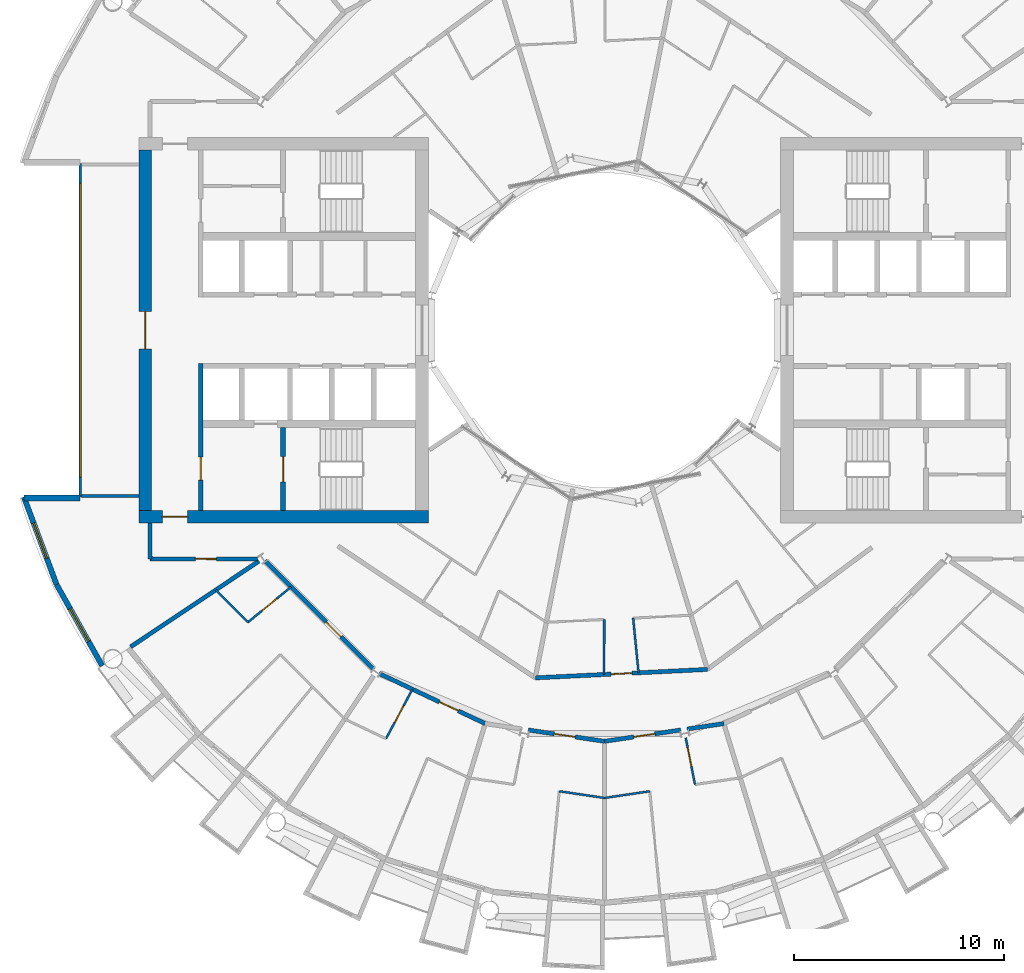
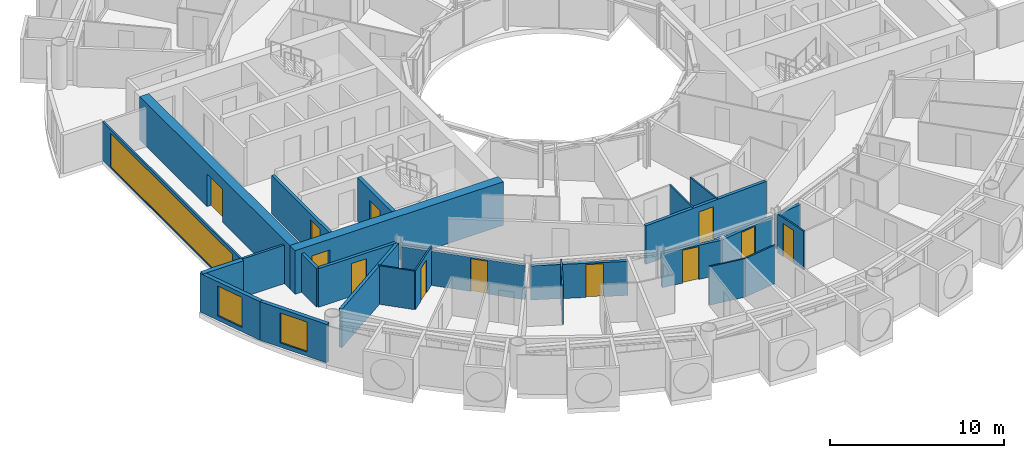
# One storey, part 15 of 27: 26 walls, 13 doors, 3 windows, 16 openings.
"""IFC4 building model written with IfcOpenShell, lengths in metres."""

import ifcopenshell
import ifcopenshell.guid

model = None  # the IFC model being written
_history = None  # IfcOwnerHistory: only IFC2X3 demands one
_inside = {}  # id of a spatial element -> (the spatial element, [elements in it])
_under = {}  # id of a project, library or spatial element -> (it, [spatial elements below it])
_declared = {}  # id of a project -> (the project, [libraries it declares])
_typed = {}  # id of a type object -> (the type object, [elements of that type])
_made_of = {}  # id of a material, layer set ... -> (it, [elements and type objects made of it])


def new_model(schema):
    """Start an empty IFC model of exactly this schema.

    Asked for "IFC4X3", IfcOpenShell would pick the latest addendum, in which some entities
    have other attributes; the version numbers below select the first issue.
    IFC2X3 requires an IfcOwnerHistory on every rooted entity: one is made here for all.
    """
    global model, _history
    if schema == "IFC4X3":
        model = ifcopenshell.file(schema_version=(4, 3, 0, 0))
    else:
        model = ifcopenshell.file(schema=schema)
    _inside.clear()
    _under.clear()
    _declared.clear()
    _typed.clear()
    _made_of.clear()
    _history = None
    if model.schema == "IFC2X3":
        org = make("IfcOrganization", Name="unknown")
        user = make(
            "IfcPersonAndOrganization",
            ThePerson=make("IfcPerson", FamilyName="unknown"),
            TheOrganization=org,
        )
        app = make(
            "IfcApplication",
            ApplicationDeveloper=org,
            Version="unknown",
            ApplicationFullName="unknown",
            ApplicationIdentifier="unknown",
        )
        _history = make(
            "IfcOwnerHistory",
            OwningUser=user,
            OwningApplication=app,
            ChangeAction="ADDED",
            CreationDate=0,
        )
    return model


def make(cls, **values):
    """One entity of the class cls with the attributes given. An attribute that is None is left unset."""
    return model.create_entity(
        cls, **{name: value for name, value in values.items() if value is not None}
    )


def rooted(cls, **values):
    """An entity with a GlobalId (a new one), such as an element, a storey or a relation."""
    return make(cls, GlobalId=ifcopenshell.guid.new(), OwnerHistory=_history, **values)


def si_unit(unit_type, name, prefix=None):
    """IfcSIUnit, for example si_unit("LENGTHUNIT", "METRE", prefix="MILLI")."""
    return make("IfcSIUnit", UnitType=unit_type, Prefix=prefix, Name=name)


def assignment(units):
    """IfcUnitAssignment: the units of a project."""
    return None if units is None else make("IfcUnitAssignment", Units=units)


def point(xyz):
    """IfcCartesianPoint."""
    return None if xyz is None else make("IfcCartesianPoint", Coordinates=xyz)


def direction(xyz):
    """IfcDirection."""
    return None if xyz is None else make("IfcDirection", DirectionRatios=xyz)


def frame(location, z_axis=None, x_axis=None):
    """IfcAxis2Placement3D, a coordinate frame: its origin and axes. An axis left out is left unset."""
    return make(
        "IfcAxis2Placement3D",
        Location=point(location),
        Axis=direction(z_axis),
        RefDirection=direction(x_axis),
    )


def frame_2d(location, x_axis=None):
    """IfcAxis2Placement2D, a coordinate frame in the plane: its origin and x axis."""
    return make(
        "IfcAxis2Placement2D", Location=point(location), RefDirection=direction(x_axis)
    )


def origin():
    """The frame at (0, 0, 0) with its axes left unset."""
    return frame((0.0, 0.0, 0.0))


def place(relative_to, where):
    """IfcLocalPlacement: puts the frame where relative to a parent placement (None: the world)."""
    return make(
        "IfcLocalPlacement", PlacementRelTo=relative_to, RelativePlacement=where
    )


def context(
    kind, dimensions, precision=None, world=None, true_north=None, identifier=None
):
    """IfcGeometricRepresentationContext, for example the 3D "Model" context."""
    return make(
        "IfcGeometricRepresentationContext",
        ContextIdentifier=identifier,
        ContextType=kind,
        CoordinateSpaceDimension=dimensions,
        Precision=precision,
        WorldCoordinateSystem=world,
        TrueNorth=true_north,
    )


def subcontext(parent, identifier, kind, view, scale=None):
    """IfcGeometricRepresentationSubContext, for example "Body" below "Model"."""
    return make(
        "IfcGeometricRepresentationSubContext",
        ContextIdentifier=identifier,
        ContextType=kind,
        ParentContext=parent,
        TargetScale=scale,
        TargetView=view,
    )


def project(units=None, contexts=None):
    """IfcProject with its units and contexts."""
    return rooted(
        "IfcProject",
        Name="project",
        RepresentationContexts=contexts,
        UnitsInContext=assignment(units),
    )


def spatial(cls, under=None, at=None, **own):
    """A site, building, storey or space (cls), placed at a placement, below another one or the project."""
    s = rooted(cls, ObjectPlacement=at, **own)
    if under is not None:
        _under.setdefault(under.id(), (under, []))[1].append(s)
    return s


def profile(cls, at=None, kind="AREA", **sizes):
    """A parametric profile (cls). Its sizes go by their IFC names, for example OverallWidth=200.0."""
    return make(cls, ProfileType=kind, Position=at, **sizes)


def rectangle(**sizes):
    """IfcRectangleProfileDef."""
    return profile("IfcRectangleProfileDef", **sizes)


def extrude(swept, where, along, depth):
    """IfcExtrudedAreaSolid: the profile swept, set in the frame where, extruded along a direction by depth."""
    return make(
        "IfcExtrudedAreaSolid",
        SweptArea=swept,
        Position=where,
        ExtrudedDirection=direction(along),
        Depth=depth,
    )


def shape(context_of_items, identifier, shape_type, items):
    """IfcShapeRepresentation: the items that make up one representation, for example the "Body"."""
    return make(
        "IfcShapeRepresentation",
        ContextOfItems=context_of_items,
        RepresentationIdentifier=identifier,
        RepresentationType=shape_type,
        Items=items,
    )


def material(Name=None, Category=None):
    """IfcMaterial."""
    return make("IfcMaterial", Name=Name, Category=Category)


def layer(
    of_material, thickness, ventilated=None, Name=None, Category=None, Priority=None
):
    """IfcMaterialLayer: one layer of a wall or slab, of a material (None: an air gap)."""
    return make(
        "IfcMaterialLayer",
        Material=of_material,
        LayerThickness=thickness,
        IsVentilated=ventilated,
        Name=Name,
        Category=Category,
        Priority=Priority,
    )


def layer_set(layers, Name=None):
    """IfcMaterialLayerSet."""
    return make("IfcMaterialLayerSet", MaterialLayers=layers, LayerSetName=Name)


def made_of(thing, what):
    """Note that an element or type object is made of a material, layer set ...; save() writes the relation."""
    if what is not None:
        _made_of.setdefault(what.id(), (what, []))[1].append(thing)
    return thing


def type_object(cls, material=None, **own):
    """A type object (cls), such as IfcWallType, which elements share."""
    return made_of(rooted(cls, **own), material)


def element(
    cls,
    number,
    at=None,
    inside=None,
    cuts=None,
    type_object=None,
    material=None,
    context=None,
    identifier="Body",
    shape_type=None,
    held_by="IfcProductDefinitionShape",
    body=None,
    shapes=None,
    **own,
):
    """One element of the class cls, such as IfcWall. Its Tag is "e" and its number.

    at: its placement. inside: the storey or other place that contains it. cuts: it is an
    opening in that element (IfcRelVoidsElement). A single representation is given by context,
    identifier, shape_type and body (its items); several are given by shapes. held_by: the class
    of the entity that holds the representations. save() writes the other relations.
    """
    e = rooted(cls, Tag="e%d" % number, ObjectPlacement=at, **own)
    if body is not None:
        shapes = [shape(context, identifier, shape_type, body)]
    if shapes is not None:
        e.Representation = make(held_by, Representations=shapes)
    if inside is not None:
        _inside.setdefault(inside.id(), (inside, []))[1].append(e)
    if cuts is not None:
        rooted(
            "IfcRelVoidsElement", RelatingBuildingElement=cuts, RelatedOpeningElement=e
        )
    if type_object is not None:
        _typed.setdefault(type_object.id(), (type_object, []))[1].append(e)
    return made_of(e, material)


def fill(opening, filler):
    """IfcRelFillsElement: the door or window that sits in an opening."""
    return rooted(
        "IfcRelFillsElement",
        RelatingOpeningElement=opening,
        RelatedBuildingElement=filler,
    )


def aggregate(whole, parts):
    """IfcRelAggregates: a whole, such as a stair, and the parts it consists of."""
    return rooted("IfcRelAggregates", RelatingObject=whole, RelatedObjects=parts)


def save(model, path):
    """Write the relations noted so far, then the file.

    IfcRelAggregates (storeys below a building ...), IfcRelContainedInSpatialStructure (elements
    in a storey), IfcRelDefinesByType, IfcRelAssociatesMaterial and IfcRelDeclares: one each for
    every whole, place, type object, material and project.
    """
    for whole, parts in _under.values():
        aggregate(whole, parts)
    for where, things in _inside.values():
        rooted(
            "IfcRelContainedInSpatialStructure",
            RelatedElements=things,
            RelatingStructure=where,
        )
    for kind, things in _typed.values():
        rooted("IfcRelDefinesByType", RelatedObjects=things, RelatingType=kind)
    for what, things in _made_of.values():
        rooted("IfcRelAssociatesMaterial", RelatedObjects=things, RelatingMaterial=what)
    for by, libraries in _declared.values():
        rooted("IfcRelDeclares", RelatingContext=by, RelatedDefinitions=libraries)
    model.write(path)


model = new_model("IFC4")

# Units and contexts
model_context = context("Model", 3, precision=1e-05, world=origin(), true_north=direction((0.0, 1.0)))
body_context = subcontext(model_context, "Body", "Model", "MODEL_VIEW")
ifc_project = project(units=[si_unit("LENGTHUNIT", "METRE"), si_unit("AREAUNIT", "SQUARE_METRE"), si_unit("VOLUMEUNIT", "CUBIC_METRE"), si_unit("PLANEANGLEUNIT", "RADIAN"), si_unit("MASSUNIT", "GRAM", prefix="KILO")], contexts=[model_context])

# Site, building, storey
site_placement = place(None, origin())
site = spatial("IfcSite", under=ifc_project, at=site_placement, CompositionType="ELEMENT")
building_placement = place(site_placement, origin())
building = spatial("IfcBuilding", under=site, at=building_placement, Name="Maasbend Ring Residences", CompositionType="ELEMENT")
storey_placement = place(building_placement, frame((0.0, 0.0, 126.89990234375)))
storey = spatial("IfcBuildingStorey", under=building, at=storey_placement, Name="L36", CompositionType="ELEMENT", Elevation=126.89990234375)

# Wall, opening, door
ifc_material_1 = material(Name="Concrete C60/75", Category="concrete")
ifc_layer_1 = layer(ifc_material_1, 0.25)
ifc_layer_set_1 = layer_set([ifc_layer_1], Name="Concrete C60/75")
wall_type_1 = type_object("IfcWallType", Name="CORE WALL 250 C60/75", PredefinedType="SHEAR", material=ifc_layer_set_1)
wall_1_placement = place(storey_placement, frame((-15.324951171875, -4.64990234375, 0.0), z_axis=(0.0, 0.0, 1.0), x_axis=(0.0, -1.0, 0.0)))
wall_1 = element("IfcWall", 1, at=wall_1_placement, inside=storey, type_object=wall_type_1, Name="L36 core W wall STEN", PredefinedType="SHEAR", context=body_context, shape_type="SweptSolid", body=[
    extrude(rectangle(XDim=3.9501953125, YDim=0.25, at=frame_2d((1.97509765625, 0.0))), origin(), (0.0, 0.0, 1.0), 3.050048828125),
])
opening_1_placement = place(wall_1_placement, frame((1.375, 0.0, 0.0)))
opening_1 = element("IfcOpeningElement", 2, at=opening_1_placement, cuts=wall_1, Name="Opening D-W3610", PredefinedType="OPENING", context=body_context, shape_type="SweptSolid", body=[
    extrude(rectangle(XDim=1.199951171875, YDim=2.300048828125, at=frame_2d((0.60009765625, 1.14990234375))), frame((0.0, 0.135009765625, 0.0), z_axis=(0.0, -1.0, 0.0), x_axis=(1.0, 0.0, 0.0)), (0.0, 0.0, 1.0), 0.27001953125),
])
ifc_material_2 = material(Name="Steel, powder coated", Category="steel")
door_type_1 = type_object("IfcDoorType", Name="STAIR DOOR 1200 X 2300 FD60", OperationType="NOTDEFINED", PredefinedType="DOOR", material=ifc_material_2)
door_1_placement = place(opening_1_placement, origin())
door_1 = element("IfcDoor", 3, at=door_1_placement, inside=storey, type_object=door_type_1, Name="Stair door ST-W L36", OperationType="SINGLE_SWING_LEFT", OverallHeight=2.300048828125, OverallWidth=1.199951171875, PredefinedType="DOOR", context=body_context, shape_type="SweptSolid", body=[
    extrude(rectangle(XDim=1.199951171875, YDim=2.300048828125, at=frame_2d((0.60009765625, 1.14990234375))), frame((0.0, 0.02490234375, 0.0), z_axis=(0.0, -1.0, 0.0), x_axis=(1.0, 0.0, 0.0)), (0.0, 0.0, 1.0), 0.050048828125),
])
fill(opening_1, door_1)

ifc_material_3 = material(Name="Concrete C60/75", Category="concrete")
ifc_layer_2 = layer(ifc_material_3, 0.60009765625)
ifc_layer_set_2 = layer_set([ifc_layer_2], Name="Concrete C60/75")
wall_type_2 = type_object("IfcWallType", Name="CORE WALL 600 C60/75", PredefinedType="SHEAR", material=ifc_layer_set_2)
wall_2_placement = place(storey_placement, frame((-22.199951171875, -8.89990234375, 0.0), z_axis=(0.0, 0.0, 1.0), x_axis=(1.0, 0.0, 0.0)))
wall_2 = element("IfcWall", 4, at=wall_2_placement, inside=storey, type_object=wall_type_2, Name="L36 core W wall PN", PredefinedType="SHEAR", context=body_context, shape_type="SweptSolid", body=[
    extrude(rectangle(XDim=13.800048828125, YDim=0.60009765625, at=frame_2d((6.89990234375, 0.0))), origin(), (0.0, 0.0, 1.0), 3.050048828125),
])
opening_2_placement = place(wall_2_placement, frame((1.125, 0.0, 0.0)))
opening_2 = element("IfcOpeningElement", 5, at=opening_2_placement, cuts=wall_2, Name="Opening D-W3614", PredefinedType="OPENING", context=body_context, shape_type="SweptSolid", body=[
    extrude(rectangle(XDim=1.199951171875, YDim=2.300048828125, at=frame_2d((0.60009765625, 1.14990234375))), frame((0.0, 0.31005859375, 0.0), z_axis=(0.0, -1.0, 0.0), x_axis=(1.0, 0.0, 0.0)), (0.0, 0.0, 1.0), 0.6201171875),
])
ifc_material_4 = material(Name="Steel, powder coated", Category="steel")
door_type_2 = type_object("IfcDoorType", Name="CORRIDOR DOOR 1200 X 2300 FD30S", OperationType="NOTDEFINED", PredefinedType="DOOR", material=ifc_material_4)
door_2_placement = place(opening_2_placement, origin())
door_2 = element("IfcDoor", 6, at=door_2_placement, inside=storey, type_object=door_type_2, Name="Corridor door L36", OperationType="SINGLE_SWING_RIGHT", OverallHeight=2.300048828125, OverallWidth=1.199951171875, PredefinedType="DOOR", context=body_context, shape_type="SweptSolid", body=[
    extrude(rectangle(XDim=1.199951171875, YDim=2.300048828125, at=frame_2d((0.60009765625, 1.14990234375))), frame((0.0, 0.02490234375, 0.0), z_axis=(0.0, -1.0, 0.0), x_axis=(1.0, 0.0, 0.0)), (0.0, 0.0, 1.0), 0.050048828125),
])
fill(opening_2, door_2)

wall_3_placement = place(storey_placement, frame((-21.89990234375, -8.60009765625, 0.0), z_axis=(0.0, 0.0, 1.0), x_axis=(0.0, 1.0, 0.0)))
wall_3 = element("IfcWall", 7, at=wall_3_placement, inside=storey, type_object=wall_type_2, Name="L36 core W wall POUT", PredefinedType="SHEAR", context=body_context, shape_type="SweptSolid", body=[
    extrude(rectangle(XDim=17.2001953125, YDim=0.60009765625, at=frame_2d((8.60009765625, 0.0))), origin(), (0.0, 0.0, 1.0), 3.050048828125),
])
opening_3_placement = place(wall_3_placement, frame((7.699951171875, 0.0, 0.0)))
opening_3 = element("IfcOpeningElement", 8, at=opening_3_placement, cuts=wall_3, Name="Opening D-W3616", PredefinedType="OPENING", context=body_context, shape_type="SweptSolid", body=[
    extrude(rectangle(XDim=1.800048828125, YDim=2.300048828125, at=frame_2d((0.89990234375, 1.14990234375))), frame((0.0, 0.31005859375, 0.0), z_axis=(0.0, -1.0, 0.0), x_axis=(1.0, 0.0, 0.0)), (0.0, 0.0, 1.0), 0.6201171875),
])
ifc_material_5 = material(Name="Aluminium frame, clear glass", Category="aluminium")
door_type_3 = type_object("IfcDoorType", Name="ENTRANCE DOOR 1800 X 2300 FD60", OperationType="NOTDEFINED", PredefinedType="DOOR", material=ifc_material_5)
door_3_placement = place(opening_3_placement, origin())
door_3 = element("IfcDoor", 9, at=door_3_placement, inside=storey, type_object=door_type_3, Name="Lobby glazed door L36", OperationType="SINGLE_SWING_LEFT", OverallHeight=2.300048828125, OverallWidth=1.800048828125, PredefinedType="DOOR", context=body_context, shape_type="SweptSolid", body=[
    extrude(rectangle(XDim=1.800048828125, YDim=2.300048828125, at=frame_2d((0.89990234375, 1.14990234375))), frame((0.0, 0.02490234375, 0.0), z_axis=(0.0, -1.0, 0.0), x_axis=(1.0, 0.0, 0.0)), (0.0, 0.0, 1.0), 0.050048828125),
])
fill(opening_3, door_3)

ifc_material_6 = material(Name="Concrete C30/37", Category="concrete")
ifc_layer_3 = layer(ifc_material_6, 0.199951171875)
ifc_layer_set_3 = layer_set([ifc_layer_3], Name="Concrete C30/37")
wall_type_3 = type_object("IfcWallType", Name="CORRIDOR WALL 200 CONCRETE", PredefinedType="PARTITIONING", material=ifc_layer_set_3)
wall_4_placement = place(storey_placement, frame((-10.7490234375, -16.363037109375, 0.0), z_axis=(0.0, 0.0, 1.0), x_axis=(0.903968655954, -0.427598724335, 0.0)))
wall_4 = element("IfcWall", 10, at=wall_4_placement, inside=storey, type_object=wall_type_3, Name="U-L36-w015", PredefinedType="PARTITIONING", context=body_context, shape_type="SweptSolid", body=[
    extrude(rectangle(XDim=5.596435546875, YDim=0.199951171875, at=frame_2d((2.79833984375, 0.0))), origin(), (0.0, 0.0, 1.0), 2.39013671875),
])
opening_4_placement = place(wall_4_placement, frame((3.178955078125, 0.0, 0.0)))
opening_4 = element("IfcOpeningElement", 11, at=opening_4_placement, cuts=wall_4, Name="Opening D-3636", PredefinedType="OPENING", context=body_context, shape_type="SweptSolid", body=[
    extrude(rectangle(XDim=1.0, YDim=2.300048828125, at=frame_2d((0.5, 1.14990234375))), frame((0.0, 0.10986328125, 0.0), z_axis=(0.0, -1.0, 0.0), x_axis=(1.0, 0.0, 0.0)), (0.0, 0.0, 1.0), 0.219970703125),
])
ifc_material_7 = material(Name="Timber, fire-rated, painted", Category="wood")
door_type_4 = type_object("IfcDoorType", Name="FLAT ENTRANCE DOOR 1000 X 2300 FIRE-RATED", OperationType="NOTDEFINED", PredefinedType="DOOR", material=ifc_material_7)
door_4_placement = place(opening_4_placement, origin())
door_4 = element("IfcDoor", 12, at=door_4_placement, inside=storey, type_object=door_type_4, Name="D-3636", OperationType="SINGLE_SWING_RIGHT", OverallHeight=2.300048828125, OverallWidth=1.0, PredefinedType="DOOR", context=body_context, shape_type="SweptSolid", body=[
    extrude(rectangle(XDim=1.0, YDim=2.300048828125, at=frame_2d((0.5, 1.14990234375))), frame((0.0, 0.02490234375, 0.0), z_axis=(0.0, -1.0, 0.0), x_axis=(1.0, 0.0, 0.0)), (0.0, 0.0, 1.0), 0.050048828125),
])
fill(opening_4, door_4)

wall_5_placement = place(storey_placement, frame((-3.635009765625, -19.06005859375, 0.0), z_axis=(0.0, 0.0, 1.0), x_axis=(0.989143454832, -0.146953141385, 0.0)))
wall_5 = element("IfcWall", 13, at=wall_5_placement, inside=storey, type_object=wall_type_3, Name="U-L36-w017", PredefinedType="PARTITIONING", context=body_context, shape_type="SweptSolid", body=[
    extrude(rectangle(XDim=3.6748046875, YDim=0.199951171875, at=frame_2d((1.83740234375, 0.0))), origin(), (0.0, 0.0, 1.0), 2.39013671875),
])
opening_5_placement = place(wall_5_placement, frame((1.258056640625, 0.0, 0.0)))
opening_5 = element("IfcOpeningElement", 14, at=opening_5_placement, cuts=wall_5, Name="Opening D-3639", PredefinedType="OPENING", context=body_context, shape_type="SweptSolid", body=[
    extrude(rectangle(XDim=1.0, YDim=2.300048828125, at=frame_2d((0.5, 1.14990234375))), frame((0.0, 0.10986328125, 0.0), z_axis=(0.0, -1.0, 0.0), x_axis=(1.0, 0.0, 0.0)), (0.0, 0.0, 1.0), 0.219970703125),
])
door_5_placement = place(opening_5_placement, origin())
door_5 = element("IfcDoor", 15, at=door_5_placement, inside=storey, type_object=door_type_4, Name="D-3639", OperationType="SINGLE_SWING_LEFT", OverallHeight=2.300048828125, OverallWidth=1.0, PredefinedType="DOOR", context=body_context, shape_type="SweptSolid", body=[
    extrude(rectangle(XDim=1.0, YDim=2.300048828125, at=frame_2d((0.5, 1.14990234375))), frame((0.0, 0.02490234375, 0.0), z_axis=(0.0, -1.0, 0.0), x_axis=(1.0, 0.0, 0.0)), (0.0, 0.0, 1.0), 0.050048828125),
])
fill(opening_5, door_5)

wall_6_placement = place(storey_placement, frame((0.0, -19.60009765625, 0.0), z_axis=(0.0, 0.0, 1.0), x_axis=(0.989143454832, 0.146953141385, 0.0)))
wall_6 = element("IfcWall", 16, at=wall_6_placement, inside=storey, type_object=wall_type_3, Name="U-L36-w018", PredefinedType="PARTITIONING", context=body_context, shape_type="SweptSolid", body=[
    extrude(rectangle(XDim=3.6748046875, YDim=0.199951171875, at=frame_2d((1.83740234375, 0.0))), origin(), (0.0, 0.0, 1.0), 2.39013671875),
])
opening_6_placement = place(wall_6_placement, frame((1.4169921875, 0.0, 0.0)))
opening_6 = element("IfcOpeningElement", 17, at=opening_6_placement, cuts=wall_6, Name="Opening D-3642", PredefinedType="OPENING", context=body_context, shape_type="SweptSolid", body=[
    extrude(rectangle(XDim=1.0, YDim=2.300048828125, at=frame_2d((0.5, 1.14990234375))), frame((0.0, 0.10986328125, 0.0), z_axis=(0.0, -1.0, 0.0), x_axis=(1.0, 0.0, 0.0)), (0.0, 0.0, 1.0), 0.219970703125),
])
door_6_placement = place(opening_6_placement, origin())
door_6 = element("IfcDoor", 18, at=door_6_placement, inside=storey, type_object=door_type_4, Name="D-3642", OperationType="SINGLE_SWING_RIGHT", OverallHeight=2.300048828125, OverallWidth=1.0, PredefinedType="DOOR", context=body_context, shape_type="SweptSolid", body=[
    extrude(rectangle(XDim=1.0, YDim=2.300048828125, at=frame_2d((0.5, 1.14990234375))), frame((0.0, 0.02490234375, 0.0), z_axis=(0.0, -1.0, 0.0), x_axis=(1.0, 0.0, 0.0)), (0.0, 0.0, 1.0), 0.050048828125),
])
fill(opening_6, door_6)

# Wall
wall_7_placement = place(storey_placement, frame((3.93896484375, -19.014892578125, 0.0), z_axis=(0.0, 0.0, 1.0), x_axis=(0.989227802256, 0.146384272531, 0.0)))
element("IfcWall", 19, at=wall_7_placement, inside=storey, type_object=wall_type_3, Name="U-L36-w019", PredefinedType="PARTITIONING", context=body_context, shape_type="SweptSolid", body=[
    extrude(rectangle(XDim=1.776123046875, YDim=0.199951171875, at=frame_2d((0.88818359375, 0.0))), origin(), (0.0, 0.0, 1.0), 2.39013671875),
])

# Wall, opening, door
wall_8_placement = place(storey_placement, frame((-16.18603515625, -11.0, 0.0), z_axis=(0.0, 0.0, 1.0), x_axis=(0.707106781187, -0.707106781187, 0.0)))
wall_8 = element("IfcWall", 20, at=wall_8_placement, inside=storey, type_object=wall_type_3, Name="U-L36-w021", PredefinedType="PARTITIONING", context=body_context, shape_type="SweptSolid", body=[
    extrude(rectangle(XDim=7.334228515625, YDim=0.199951171875, at=frame_2d((3.6669921875, 0.0))), origin(), (0.0, 0.0, 1.0), 2.39013671875),
])
opening_7_placement = place(wall_8_placement, frame((4.123046875, 0.0, 0.0)))
opening_7 = element("IfcOpeningElement", 21, at=opening_7_placement, cuts=wall_8, Name="Opening D-3632", PredefinedType="OPENING", context=body_context, shape_type="SweptSolid", body=[
    extrude(rectangle(XDim=1.0, YDim=2.300048828125, at=frame_2d((0.5, 1.14990234375))), frame((0.0, 0.10986328125, 0.0), z_axis=(0.0, -1.0, 0.0), x_axis=(1.0, 0.0, 0.0)), (0.0, 0.0, 1.0), 0.219970703125),
])
door_7_placement = place(opening_7_placement, origin())
door_7 = element("IfcDoor", 22, at=door_7_placement, inside=storey, type_object=door_type_4, Name="D-3632", OperationType="SINGLE_SWING_RIGHT", OverallHeight=2.300048828125, OverallWidth=1.0, PredefinedType="DOOR", context=body_context, shape_type="SweptSolid", body=[
    extrude(rectangle(XDim=1.0, YDim=2.300048828125, at=frame_2d((0.5, 1.14990234375))), frame((0.0, 0.02490234375, 0.0), z_axis=(0.0, -1.0, 0.0), x_axis=(1.0, 0.0, 0.0)), (0.0, 0.0, 1.0), 0.050048828125),
])
fill(opening_7, door_7)

wall_9_placement = place(storey_placement, frame((-3.297119140625, -16.574951171875, 0.0), z_axis=(0.0, 0.0, 1.0), x_axis=(0.998796706656, 0.0490422142, 0.0)))
wall_9 = element("IfcWall", 23, at=wall_9_placement, inside=storey, type_object=wall_type_3, Name="U-L36-w023", PredefinedType="PARTITIONING", context=body_context, shape_type="SweptSolid", body=[
    extrude(rectangle(XDim=8.2138671875, YDim=0.199951171875, at=frame_2d((4.10693359375, 0.0))), origin(), (0.0, 0.0, 1.0), 2.7001953125),
])
opening_8_placement = place(wall_9_placement, frame((3.614013671875, 0.0, 0.0)))
opening_8 = element("IfcOpeningElement", 24, at=opening_8_placement, cuts=wall_9, Name="Opening D-3656", PredefinedType="OPENING", context=body_context, shape_type="SweptSolid", body=[
    extrude(rectangle(XDim=1.0, YDim=2.300048828125, at=frame_2d((0.5, 1.14990234375))), frame((0.0, 0.10986328125, 0.0), z_axis=(0.0, -1.0, 0.0), x_axis=(1.0, 0.0, 0.0)), (0.0, 0.0, 1.0), 0.219970703125),
])
door_8_placement = place(opening_8_placement, origin())
door_8 = element("IfcDoor", 25, at=door_8_placement, inside=storey, type_object=door_type_4, Name="D-3656", OperationType="SINGLE_SWING_RIGHT", OverallHeight=2.300048828125, OverallWidth=1.0, PredefinedType="DOOR", context=body_context, shape_type="SweptSolid", body=[
    extrude(rectangle(XDim=1.0, YDim=2.300048828125, at=frame_2d((0.5, 1.14990234375))), frame((0.0, 0.02490234375, 0.0), z_axis=(0.0, -1.0, 0.0), x_axis=(1.0, 0.0, 0.0)), (0.0, 0.0, 1.0), 0.050048828125),
])
fill(opening_8, door_8)

wall_10_placement = place(storey_placement, frame((-21.675048828125, -10.89990234375, 0.0), z_axis=(0.0, 0.0, 1.0), x_axis=(0.999997173357, -0.002377662213, 0.0)))
wall_10 = element("IfcWall", 26, at=wall_10_placement, inside=storey, type_object=wall_type_3, Name="U-L36-w032", PredefinedType="PARTITIONING", context=body_context, shape_type="SweptSolid", body=[
    extrude(rectangle(XDim=5.134033203125, YDim=0.199951171875, at=frame_2d((2.56689453125, 0.0))), origin(), (0.0, 0.0, 1.0), 2.7001953125),
])
opening_9_placement = place(wall_10_placement, frame((2.1708984375, 0.0, 0.0)))
opening_9 = element("IfcOpeningElement", 27, at=opening_9_placement, cuts=wall_10, Name="Opening D-3663", PredefinedType="OPENING", context=body_context, shape_type="SweptSolid", body=[
    extrude(rectangle(XDim=1.0, YDim=2.300048828125, at=frame_2d((0.5, 1.14990234375))), frame((0.0, 0.10986328125, 0.0), z_axis=(0.0, -1.0, 0.0), x_axis=(1.0, 0.0, 0.0)), (0.0, 0.0, 1.0), 0.219970703125),
])
ifc_material_8 = material(Name="Timber, painted", Category="wood")
door_type_5 = type_object("IfcDoorType", Name="ROOM DOOR 1000 X 2300", OperationType="NOTDEFINED", PredefinedType="DOOR", material=ifc_material_8)
door_9_placement = place(opening_9_placement, origin())
door_9 = element("IfcDoor", 28, at=door_9_placement, inside=storey, type_object=door_type_5, Name="D-3663", OperationType="SINGLE_SWING_RIGHT", OverallHeight=2.300048828125, OverallWidth=1.0, PredefinedType="DOOR", context=body_context, shape_type="SweptSolid", body=[
    extrude(rectangle(XDim=1.0, YDim=2.300048828125, at=frame_2d((0.5, 1.14990234375))), frame((0.0, 0.02490234375, 0.0), z_axis=(0.0, -1.0, 0.0), x_axis=(1.0, 0.0, 0.0)), (0.0, 0.0, 1.0), 0.050048828125),
])
fill(opening_9, door_9)

# Wall
wall_11_placement = place(storey_placement, frame((-21.675048828125, -10.89990234375, 0.0), z_axis=(0.0, 0.0, 1.0), x_axis=(0.0, 1.0, 0.0)))
element("IfcWall", 29, at=wall_11_placement, inside=storey, type_object=wall_type_3, Name="U-L36-w117", PredefinedType="PARTITIONING", context=body_context, shape_type="SweptSolid", body=[
    extrude(rectangle(XDim=1.699951171875, YDim=0.199951171875, at=frame_2d((0.85009765625, 0.0))), origin(), (0.0, 0.0, 1.0), 2.7001953125),
])

# Wall, opening, window
ifc_material_9 = material(Name="Aluminium clad insulated panel", Category="aluminium")
ifc_layer_4 = layer(ifc_material_9, 0.25)
ifc_layer_set_4 = layer_set([ifc_layer_4], Name="EW-HORN")
wall_type_4 = type_object("IfcWallType", Name="EW-HORN", PredefinedType="SOLIDWALL", material=ifc_layer_set_4)
wall_12_placement = place(storey_placement, frame((-27.681884765625, -7.945068359375, 0.0), z_axis=(0.0, 0.0, 1.0), x_axis=(0.349247811493, -0.937030397675, 0.0)))
wall_12 = element("IfcWall", 30, at=wall_12_placement, inside=storey, type_object=wall_type_4, Name="Horn wall 3.1", PredefinedType="SOLIDWALL", context=body_context, shape_type="SweptSolid", body=[
    extrude(rectangle(XDim=4.4521484375, YDim=0.25, at=frame_2d((2.22607421875, 0.0))), origin(), (0.0, 0.0, 1.0), 2.7001953125),
])
opening_10_placement = place(wall_12_placement, frame((1.32666015625, 0.0, 0.300048828125)))
opening_10 = element("IfcOpeningElement", 31, at=opening_10_placement, cuts=wall_12, Name="Opening W-BX", PredefinedType="OPENING", context=body_context, shape_type="SweptSolid", body=[
    extrude(rectangle(XDim=1.800048828125, YDim=2.10009765625, at=frame_2d((0.89990234375, 1.050048828125))), frame((0.0, 0.135009765625, 0.0), z_axis=(0.0, -1.0, 0.0), x_axis=(1.0, 0.0, 0.0)), (0.0, 0.0, 1.0), 0.27001953125),
])
ifc_material_10 = material(Name="Aluminium and clear glass", Category="aluminium")
window_type_1 = type_object("IfcWindowType", Name="W-BX", PartitioningType="DOUBLE_PANEL_VERTICAL", PredefinedType="WINDOW", material=ifc_material_10)
window_1_placement = place(opening_10_placement, origin())
window_1 = element("IfcWindow", 32, at=window_1_placement, inside=storey, type_object=window_type_1, Name="Horn window 3.1", OverallHeight=2.10009765625, OverallWidth=1.800048828125, PartitioningType="SINGLE_PANEL", PredefinedType="WINDOW", context=body_context, shape_type="SweptSolid", body=[
    extrude(rectangle(XDim=1.800048828125, YDim=2.10009765625, at=frame_2d((0.89990234375, 1.050048828125))), frame((0.0, 0.030029296875, 0.0), z_axis=(0.0, -1.0, 0.0), x_axis=(1.0, 0.0, 0.0)), (0.0, 0.0, 1.0), 0.06005859375),
])
fill(opening_10, window_1)

wall_13_placement = place(storey_placement, frame((-26.126953125, -12.116943359375, 0.0), z_axis=(0.0, 0.0, 1.0), x_axis=(0.489696356642, -0.871893042919, 0.0)))
wall_13 = element("IfcWall", 33, at=wall_13_placement, inside=storey, type_object=wall_type_4, Name="Horn wall 3.2", PredefinedType="SOLIDWALL", context=body_context, shape_type="SweptSolid", body=[
    extrude(rectangle(XDim=4.45361328125, YDim=0.25, at=frame_2d((2.226806640625, 0.0))), origin(), (0.0, 0.0, 1.0), 2.7001953125),
])
opening_11_placement = place(wall_13_placement, frame((1.32666015625, 0.0, 0.300048828125)))
opening_11 = element("IfcOpeningElement", 34, at=opening_11_placement, cuts=wall_13, Name="Opening W-BX", PredefinedType="OPENING", context=body_context, shape_type="SweptSolid", body=[
    extrude(rectangle(XDim=1.800048828125, YDim=2.10009765625, at=frame_2d((0.89990234375, 1.050048828125))), frame((0.0, 0.135009765625, 0.0), z_axis=(0.0, -1.0, 0.0), x_axis=(1.0, 0.0, 0.0)), (0.0, 0.0, 1.0), 0.27001953125),
])
window_2_placement = place(opening_11_placement, origin())
window_2 = element("IfcWindow", 35, at=window_2_placement, inside=storey, type_object=window_type_1, Name="Horn window 3.2", OverallHeight=2.10009765625, OverallWidth=1.800048828125, PartitioningType="SINGLE_PANEL", PredefinedType="WINDOW", context=body_context, shape_type="SweptSolid", body=[
    extrude(rectangle(XDim=1.800048828125, YDim=2.10009765625, at=frame_2d((0.89990234375, 1.050048828125))), frame((0.0, 0.030029296875, 0.0), z_axis=(0.0, -1.0, 0.0), x_axis=(1.0, 0.0, 0.0)), (0.0, 0.0, 1.0), 0.06005859375),
])
fill(opening_11, window_2)

# Wall
ifc_material_11 = material(Name="Aluminium clad insulated panel", Category="aluminium")
ifc_layer_5 = layer(ifc_material_11, 0.300048828125)
ifc_layer_set_5 = layer_set([ifc_layer_5], Name="EW-RET")
wall_type_5 = type_object("IfcWallType", Name="EW-RET", PredefinedType="SOLIDWALL", material=ifc_layer_set_5)
wall_14_placement = place(storey_placement, frame((-25.0, -8.0, 0.0), z_axis=(0.0, 0.0, 1.0), x_axis=(-1.0, 0.0, 0.0)))
element("IfcWall", 36, at=wall_14_placement, inside=storey, type_object=wall_type_5, Name="Notch return wall west south", PredefinedType="SOLIDWALL", context=body_context, shape_type="SweptSolid", body=[
    extrude(rectangle(XDim=2.6669921875, YDim=0.300048828125, at=frame_2d((1.33349609375, 0.0))), origin(), (0.0, 0.0, 1.0), 2.7001953125),
])

# Wall, opening, window
ifc_material_12 = material(Name="Aluminium frame and clear glass", Category="aluminium")
ifc_layer_6 = layer(ifc_material_12, 0.1201171875)
ifc_layer_set_6 = layer_set([ifc_layer_6], Name="GLAZED SCREEN WALL 120 EI 60")
wall_type_6 = type_object("IfcWallType", Name="GLAZED SCREEN WALL 120 EI 60", PredefinedType="PARTITIONING", material=ifc_layer_set_6)
wall_15_placement = place(storey_placement, frame((-25.0, 7.949951171875, 0.0), z_axis=(0.0, 0.0, 1.0), x_axis=(0.0, -1.0, 0.0)))
wall_15 = element("IfcWall", 37, at=wall_15_placement, inside=storey, type_object=wall_type_6, Name="L36 core W wall FACE", PredefinedType="PARTITIONING", context=body_context, shape_type="SweptSolid", body=[
    extrude(rectangle(XDim=15.89990234375, YDim=0.1201171875, at=frame_2d((7.949951171875, 0.0))), origin(), (0.0, 0.0, 1.0), 2.7001953125),
])
opening_12_placement = place(wall_15_placement, frame((0.949951171875, 0.0, 0.10009765625)))
opening_12 = element("IfcOpeningElement", 38, at=opening_12_placement, cuts=wall_15, Name="Opening W-W3602", PredefinedType="OPENING", context=body_context, shape_type="SweptSolid", body=[
    extrude(rectangle(XDim=14.0, YDim=2.35009765625, at=frame_2d((7.0, 1.175048828125))), frame((0.0, 0.070068359375, 0.0), z_axis=(0.0, -1.0, 0.0), x_axis=(1.0, 0.0, 0.0)), (0.0, 0.0, 1.0), 0.14013671875),
])
ifc_material_13 = material(Name="Aluminium frame and clear glass", Category="aluminium")
window_type_2 = type_object("IfcWindowType", Name="FIXED WINDOW 14000 X 2350", PartitioningType="SINGLE_PANEL", PredefinedType="WINDOW", material=ifc_material_13)
window_3_placement = place(opening_12_placement, origin())
window_3 = element("IfcWindow", 39, at=window_3_placement, inside=storey, type_object=window_type_2, Name="Lobby window L36", OverallHeight=2.35009765625, OverallWidth=14.0, PartitioningType="SINGLE_PANEL", PredefinedType="WINDOW", context=body_context, shape_type="SweptSolid", body=[
    extrude(rectangle(XDim=14.0, YDim=2.35009765625, at=frame_2d((7.0, 1.175048828125))), frame((0.0, 0.030029296875, 0.0), z_axis=(0.0, -1.0, 0.0), x_axis=(1.0, 0.0, 0.0)), (0.0, 0.0, 1.0), 0.06005859375),
])
fill(opening_12, window_3)

# Walls
ifc_material_14 = material(Name="Gypsum board on steel studs", Category="steel")
ifc_layer_7 = layer(ifc_material_14, 0.10009765625)
ifc_layer_set_7 = layer_set([ifc_layer_7], Name="PARTITION 100 GYPSUM")
wall_type_7 = type_object("IfcWallType", Name="PARTITION 100 GYPSUM", PredefinedType="PARTITIONING", material=ifc_layer_set_7)
for number, where, z_axis, x_axis, name in (
    (40, (-2.158935546875, -21.97998046875, 0.0), (0.0, 0.0, 1.0), (0.989169170958, -0.146779941497, 0.0), "U-L36-w004"),
    (41, (0.001953125, -22.300048828125, 0.0), (0.0, 0.0, 1.0), (0.989169170958, 0.146779941497, 0.0), "U-L36-w005"),
):
    element("IfcWall", number, at=place(storey_placement, frame(where, z_axis=z_axis, x_axis=x_axis)), inside=storey, type_object=wall_type_7, Name=name, PredefinedType="PARTITIONING", context=body_context, shape_type="SweptSolid", body=[
        extrude(rectangle(XDim=2.1806640625, YDim=0.10009765625, at=frame_2d((1.09033203125, 0.0))), origin(), (0.0, 0.0, 1.0), 2.7001953125),
    ])
wall_16_placement = place(storey_placement, frame((-18.5419921875, -12.388916015625, 0.0), z_axis=(0.0, 0.0, 1.0), x_axis=(0.707106781187, -0.707106781187, 0.0)))
element("IfcWall", 42, at=wall_16_placement, inside=storey, type_object=wall_type_7, Name="U-L36-w009", PredefinedType="PARTITIONING", context=body_context, shape_type="SweptSolid", body=[
    extrude(rectangle(XDim=2.17529296875, YDim=0.10009765625, at=frame_2d((1.087646484375, 0.0))), origin(), (0.0, 0.0, 1.0), 2.7001953125),
])

# Wall, opening, door
wall_17_placement = place(storey_placement, frame((-17.00390625, -13.927001953125, 0.0), z_axis=(0.0, 0.0, 1.0), x_axis=(0.77367517848, 0.633582447834, 0.0)))
wall_17 = element("IfcWall", 43, at=wall_17_placement, inside=storey, type_object=wall_type_7, Name="U-L36-w044", PredefinedType="PARTITIONING", context=body_context, shape_type="SweptSolid", body=[
    extrude(rectangle(XDim=2.6611328125, YDim=0.10009765625, at=frame_2d((1.33056640625, 0.0))), origin(), (0.0, 0.0, 1.0), 2.7001953125),
])
opening_13_placement = place(wall_17_placement, frame((0.881103515625, 0.0, 0.0)))
opening_13 = element("IfcOpeningElement", 44, at=opening_13_placement, cuts=wall_17, Name="Opening D-3633", PredefinedType="OPENING", context=body_context, shape_type="SweptSolid", body=[
    extrude(rectangle(XDim=0.89990234375, YDim=2.300048828125, at=frame_2d((0.449951171875, 1.14990234375))), frame((0.0, 0.06005859375, 0.0), z_axis=(0.0, -1.0, 0.0), x_axis=(1.0, 0.0, 0.0)), (0.0, 0.0, 1.0), 0.1201171875),
])
ifc_material_15 = material(Name="Timber, painted", Category="wood")
door_type_6 = type_object("IfcDoorType", Name="INTERNAL DOOR 900 X 2300", OperationType="NOTDEFINED", PredefinedType="DOOR", material=ifc_material_15)
door_10_placement = place(opening_13_placement, origin())
door_10 = element("IfcDoor", 45, at=door_10_placement, inside=storey, type_object=door_type_6, Name="D-3633", OperationType="SINGLE_SWING_RIGHT", OverallHeight=2.300048828125, OverallWidth=0.89990234375, PredefinedType="DOOR", context=body_context, shape_type="SweptSolid", body=[
    extrude(rectangle(XDim=0.89990234375, YDim=2.300048828125, at=frame_2d((0.449951171875, 1.14990234375))), frame((0.0, 0.02490234375, 0.0), z_axis=(0.0, -1.0, 0.0), x_axis=(1.0, 0.0, 0.0)), (0.0, 0.0, 1.0), 0.050048828125),
])
fill(opening_13, door_10)

wall_18_placement = place(storey_placement, frame((-10.4169921875, -19.47412109375, 0.0), z_axis=(0.0, 0.0, 1.0), x_axis=(0.471701791767, 0.881758141241, 0.0)))
wall_18 = element("IfcWall", 46, at=wall_18_placement, inside=storey, type_object=wall_type_7, Name="U-L36-w049", PredefinedType="PARTITIONING", context=body_context, shape_type="SweptSolid", body=[
    extrude(rectangle(XDim=2.67333984375, YDim=0.10009765625, at=frame_2d((1.336669921875, 0.0))), origin(), (0.0, 0.0, 1.0), 2.7001953125),
])
opening_14_placement = place(wall_18_placement, frame((0.886962890625, 0.0, 0.0)))
opening_14 = element("IfcOpeningElement", 47, at=opening_14_placement, cuts=wall_18, Name="Opening D-3637", PredefinedType="OPENING", context=body_context, shape_type="SweptSolid", body=[
    extrude(rectangle(XDim=0.89990234375, YDim=2.300048828125, at=frame_2d((0.449951171875, 1.14990234375))), frame((0.0, 0.06005859375, 0.0), z_axis=(0.0, -1.0, 0.0), x_axis=(1.0, 0.0, 0.0)), (0.0, 0.0, 1.0), 0.1201171875),
])
door_11_placement = place(opening_14_placement, origin())
door_11 = element("IfcDoor", 48, at=door_11_placement, inside=storey, type_object=door_type_6, Name="D-3637", OperationType="SINGLE_SWING_RIGHT", OverallHeight=2.300048828125, OverallWidth=0.89990234375, PredefinedType="DOOR", context=body_context, shape_type="SweptSolid", body=[
    extrude(rectangle(XDim=0.89990234375, YDim=2.300048828125, at=frame_2d((0.449951171875, 1.14990234375))), frame((0.0, 0.02490234375, 0.0), z_axis=(0.0, -1.0, 0.0), x_axis=(1.0, 0.0, 0.0)), (0.0, 0.0, 1.0), 0.050048828125),
])
fill(opening_14, door_11)

# Walls
wall_19_placement = place(storey_placement, frame((-0.01611328125, -16.4140625, 0.0), z_axis=(0.0, 0.0, 1.0), x_axis=(0.001210427419, 0.999999267432, 0.0)))
element("IfcWall", 49, at=wall_19_placement, inside=storey, type_object=wall_type_7, Name="U-L36-w064", PredefinedType="PARTITIONING", context=body_context, shape_type="SweptSolid", body=[
    extrude(rectangle(XDim=2.6220703125, YDim=0.10009765625, at=frame_2d((1.31103515625, 0.0))), origin(), (0.0, 0.0, 1.0), 2.7001953125),
])
wall_20_placement = place(storey_placement, frame((1.364990234375, -13.72412109375, 0.0), z_axis=(0.0, 0.0, 1.0), x_axis=(0.099171803948, -0.995070325807, 0.0)))
element("IfcWall", 50, at=wall_20_placement, inside=storey, type_object=wall_type_7, Name="U-L36-w068", PredefinedType="PARTITIONING", context=body_context, shape_type="SweptSolid", body=[
    extrude(rectangle(XDim=2.621826171875, YDim=0.10009765625, at=frame_2d((1.31103515625, 0.0))), origin(), (0.0, 0.0, 1.0), 2.7001953125),
])

# Wall, opening, door
wall_21_placement = place(storey_placement, frame((3.8720703125, -19.43408203125, 0.0), z_axis=(0.0, 0.0, 1.0), x_axis=(0.195557580153, -0.980692221262, 0.0)))
wall_21 = element("IfcWall", 51, at=wall_21_placement, inside=storey, type_object=wall_type_7, Name="U-L36-w075", PredefinedType="PARTITIONING", context=body_context, shape_type="SweptSolid", body=[
    extrude(rectangle(XDim=2.26953125, YDim=0.10009765625, at=frame_2d((1.134765625, 0.0))), origin(), (0.0, 0.0, 1.0), 2.7001953125),
])
opening_15_placement = place(wall_21_placement, frame((0.48291015625, 0.0, 0.0)))
opening_15 = element("IfcOpeningElement", 52, at=opening_15_placement, cuts=wall_21, Name="Opening D-3643", PredefinedType="OPENING", context=body_context, shape_type="SweptSolid", body=[
    extrude(rectangle(XDim=0.89990234375, YDim=2.300048828125, at=frame_2d((0.449951171875, 1.14990234375))), frame((0.0, 0.06005859375, 0.0), z_axis=(0.0, -1.0, 0.0), x_axis=(1.0, 0.0, 0.0)), (0.0, 0.0, 1.0), 0.1201171875),
])
door_12_placement = place(opening_15_placement, origin())
door_12 = element("IfcDoor", 53, at=door_12_placement, inside=storey, type_object=door_type_6, Name="D-3643", OperationType="SINGLE_SWING_LEFT", OverallHeight=2.300048828125, OverallWidth=0.89990234375, PredefinedType="DOOR", context=body_context, shape_type="SweptSolid", body=[
    extrude(rectangle(XDim=0.89990234375, YDim=2.300048828125, at=frame_2d((0.449951171875, 1.14990234375))), frame((0.0, 0.02490234375, 0.0), z_axis=(0.0, -1.0, 0.0), x_axis=(1.0, 0.0, 0.0)), (0.0, 0.0, 1.0), 0.050048828125),
])
fill(opening_15, door_12)

# Walls
ifc_material_16 = material(Name="Gypsum board on steel studs", Category="steel")
ifc_layer_8 = layer(ifc_material_16, 0.14990234375)
ifc_layer_set_8 = layer_set([ifc_layer_8], Name="PARTITION 150 EI 60")
wall_type_8 = type_object("IfcWallType", Name="PARTITION 150 EI 60", PredefinedType="PARTITIONING", material=ifc_layer_set_8)
wall_22_placement = place(storey_placement, frame((-22.199951171875, -7.89990234375, 0.0), z_axis=(0.0, 0.0, 1.0), x_axis=(-1.0, 0.0, 0.0)))
element("IfcWall", 54, at=wall_22_placement, inside=storey, type_object=wall_type_8, Name="L36 core W wall CITN", PredefinedType="PARTITIONING", context=body_context, shape_type="SweptSolid", body=[
    extrude(rectangle(XDim=2.739990234375, YDim=0.14990234375, at=frame_2d((1.3701171875, 0.0))), origin(), (0.0, 0.0, 1.0), 2.7001953125),
])
ifc_material_17 = material(Name="Concrete C30/37", Category="concrete")
ifc_layer_9 = layer(ifc_material_17, 0.199951171875)
ifc_layer_set_9 = layer_set([ifc_layer_9], Name="Concrete C30/37")
wall_type_9 = type_object("IfcWallType", Name="PARTY WALL 200 CONCRETE", PredefinedType="PARTITIONING", material=ifc_layer_set_9)
wall_23_placement = place(storey_placement, frame((-22.594970703125, -15.096923828125, 0.0), z_axis=(0.0, 0.0, 1.0), x_axis=(0.831467903109, 0.555572791, 0.0)))
element("IfcWall", 55, at=wall_23_placement, inside=storey, type_object=wall_type_9, Name="U-L36-w038", PredefinedType="PARTITIONING", context=body_context, shape_type="SweptSolid", body=[
    extrude(rectangle(XDim=7.35791015625, YDim=0.199951171875, at=frame_2d((3.678955078125, 0.0))), origin(), (0.0, 0.0, 1.0), 2.7001953125),
])

# Wall, opening, door
ifc_material_18 = material(Name="Concrete C30/37", Category="concrete")
ifc_layer_10 = layer(ifc_material_18, 0.199951171875)
ifc_layer_set_10 = layer_set([ifc_layer_10], Name="Concrete C30/37")
wall_type_10 = type_object("IfcWallType", Name="SHAFT WALL 200 EI 120", PredefinedType="SOLIDWALL", material=ifc_layer_set_10)
wall_24_placement = place(storey_placement, frame((-19.25, -1.574951171875, 0.0), z_axis=(0.0, 0.0, 1.0), x_axis=(0.0, -1.0, 0.0)))
wall_24 = element("IfcWall", 56, at=wall_24_placement, inside=storey, type_object=wall_type_10, Name="L36 core W wall ENDN", PredefinedType="SOLIDWALL", context=body_context, shape_type="SweptSolid", body=[
    extrude(rectangle(XDim=7.025146484375, YDim=0.199951171875, at=frame_2d((3.5126953125, 0.0))), origin(), (0.0, 0.0, 1.0), 2.7001953125),
])
opening_16_placement = place(wall_24_placement, frame((4.47509765625, 0.0, 0.0)))
opening_16 = element("IfcOpeningElement", 57, at=opening_16_placement, cuts=wall_24, Name="Opening D-W3612", PredefinedType="OPENING", context=body_context, shape_type="SweptSolid", body=[
    extrude(rectangle(XDim=1.10009765625, YDim=2.300048828125, at=frame_2d((0.550048828125, 1.14990234375))), frame((0.0, 0.10986328125, 0.0), z_axis=(0.0, -1.0, 0.0), x_axis=(1.0, 0.0, 0.0)), (0.0, 0.0, 1.0), 0.219970703125),
])
ifc_material_19 = material(Name="Steel, powder coated", Category="steel")
door_type_7 = type_object("IfcDoorType", Name="LOBBY DOOR 1100 X 2300 FD60", OperationType="NOTDEFINED", PredefinedType="DOOR", material=ifc_material_19)
door_13_placement = place(opening_16_placement, origin())
door_13 = element("IfcDoor", 58, at=door_13_placement, inside=storey, type_object=door_type_7, Name="Lobby door L36", OperationType="SINGLE_SWING_LEFT", OverallHeight=2.300048828125, OverallWidth=1.10009765625, PredefinedType="DOOR", context=body_context, shape_type="SweptSolid", body=[
    extrude(rectangle(XDim=1.10009765625, YDim=2.300048828125, at=frame_2d((0.550048828125, 1.14990234375))), frame((0.0, 0.02490234375, 0.0), z_axis=(0.0, -1.0, 0.0), x_axis=(1.0, 0.0, 0.0)), (0.0, 0.0, 1.0), 0.050048828125),
])
fill(opening_16, door_13)

save(model, "model.ifc")
